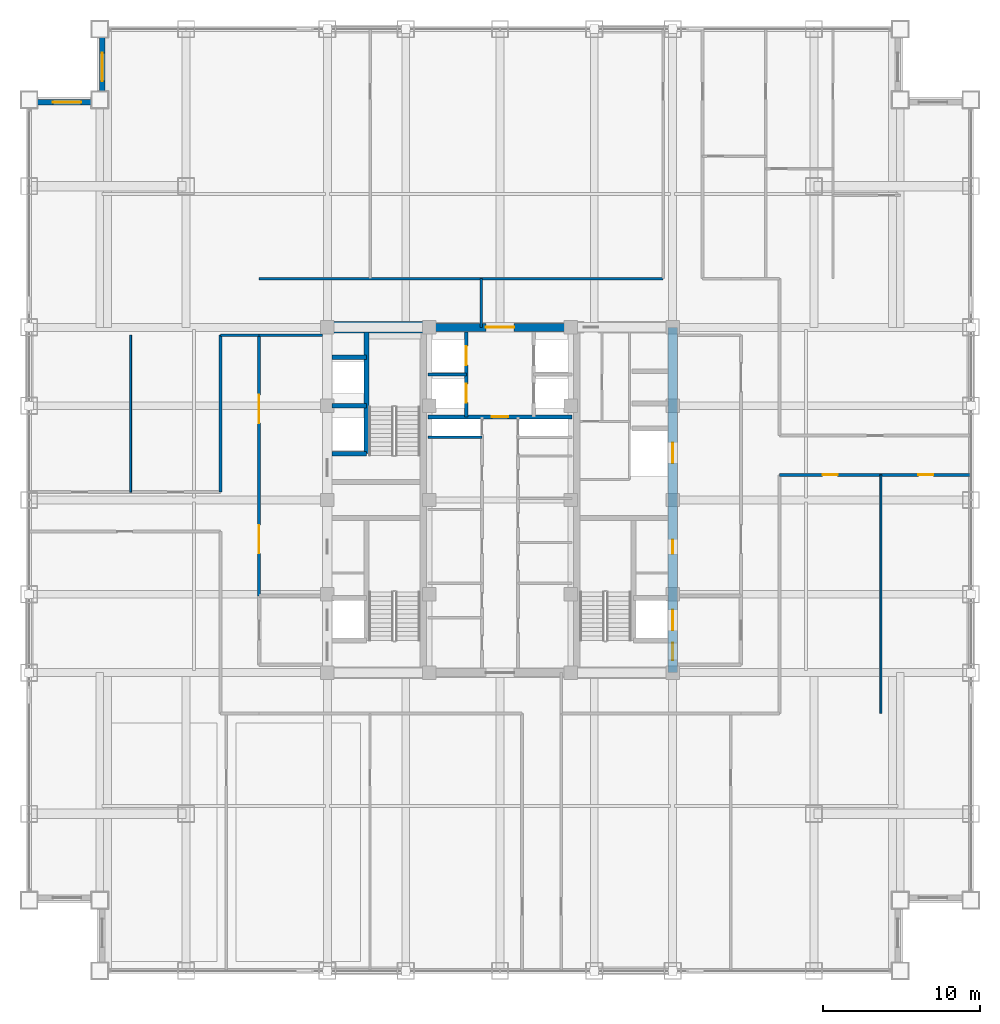
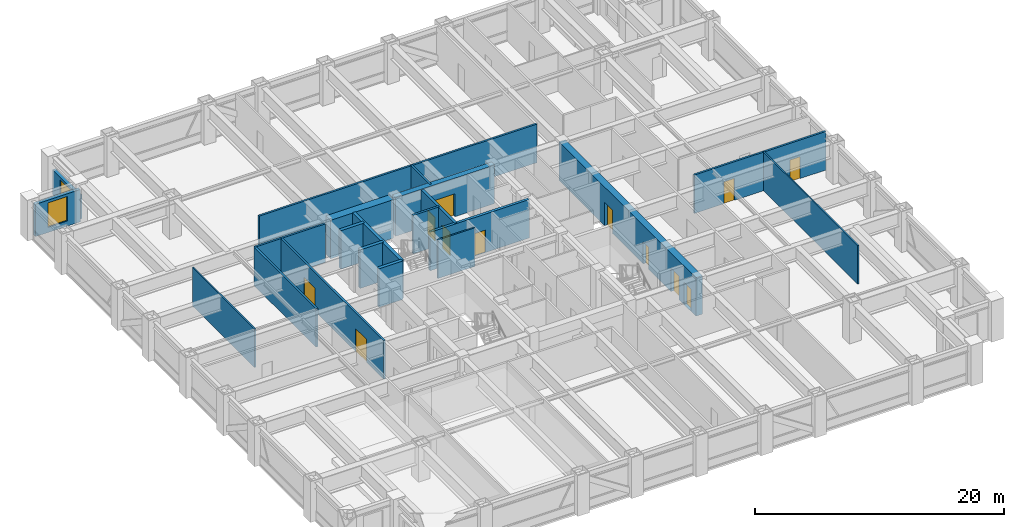
# One storey, part 22 of 26: 22 walls, 12 doors, 2 windows, 14 openings.
"""IFC4 building model written with IfcOpenShell, lengths in metres."""

from ifc_helpers import new_model, si_unit, direction, frame, frame_2d, origin, place, context, subcontext, project, spatial, rectangle, extrude, source, transform, mapped, material, layer, layer_set, type_object, element, fill, save


model = new_model("IFC4")

# Units and contexts
model_context = context("Model", 3, precision=1e-05, world=origin(), true_north=direction((0.0, 1.0)))
body_context = subcontext(model_context, "Body", "Model", "MODEL_VIEW")
ifc_project = project(units=[si_unit("LENGTHUNIT", "METRE"), si_unit("AREAUNIT", "SQUARE_METRE"), si_unit("VOLUMEUNIT", "CUBIC_METRE"), si_unit("PLANEANGLEUNIT", "RADIAN"), si_unit("MASSUNIT", "GRAM", prefix="KILO")], contexts=[model_context])

# Site, building, storey
site_placement = place(None, origin())
site = spatial("IfcSite", under=ifc_project, at=site_placement, CompositionType="ELEMENT")
building_placement = place(site_placement, origin())
building = spatial("IfcBuilding", under=site, at=building_placement, Name="Khorayat Bourse Tower", CompositionType="ELEMENT")
storey_placement = place(building_placement, frame((0.0, 0.0, 207.10009765625)))
storey = spatial("IfcBuildingStorey", under=building, at=storey_placement, Name="L48", CompositionType="ELEMENT", Elevation=207.10009765625)

# Wall, openings, doors
ifc_material_1 = material(Name="Concrete C60/75", Category="concrete")
ifc_layer_1 = layer(ifc_material_1, 0.60009765625)
ifc_layer_set_1 = layer_set([ifc_layer_1], Name="Concrete C60/75")
wall_type_1 = type_object("IfcWallType", Name="WAL-CORE-600", PredefinedType="SHEAR", material=ifc_layer_set_1)
shared_shape_1 = source(origin(), body_context, "Body", "SweptSolid", [
    extrude(rectangle(XDim=22.0, YDim=0.60009765625, at=frame_2d((11.0, 0.0))), origin(), (0.0, 0.0, 1.0), 3.77978515625),
])
wall_1_placement = place(storey_placement, frame((11.0, -11.0, 0.0), z_axis=(0.0, 0.0, 1.0), x_axis=(0.0, 1.0, 0.0)))
wall_1 = element("IfcWall", 1, at=wall_1_placement, inside=storey, type_object=wall_type_1, Name="L48 Core Shear Wall CORE-E", PredefinedType="SHEAR", context=body_context, shape_type="MappedRepresentation", body=[
    mapped(shared_shape_1, transform((0.0, 0.0, 0.0), scale=1.0)),
])
shared_shape_2 = source(origin(), body_context, "Body", "SweptSolid", [
    extrude(rectangle(XDim=1.10009765625, YDim=2.199951171875, at=frame_2d((0.550048828125, 1.10009765625))), frame((0.0, 0.31005859375, 0.0), z_axis=(0.0, -1.0, 0.0), x_axis=(1.0, 0.0, 0.0)), (0.0, 0.0, 1.0), 0.6201171875),
])
opening_1_placement = place(wall_1_placement, frame((0.800048828125, 0.0, 0.0)))
opening_1 = element("IfcOpeningElement", 2, at=opening_1_placement, cuts=wall_1, Name="Opening DI-01", PredefinedType="OPENING", context=body_context, shape_type="MappedRepresentation", body=[
    mapped(shared_shape_2, transform((0.0, 0.0, 0.0), scale=1.0)),
])
shared_shape_3 = source(origin(), body_context, "Body", "SweptSolid", [
    extrude(rectangle(XDim=0.89990234375, YDim=2.14990234375, at=frame_2d((0.449951171875, 1.074951171875))), frame((0.0, 0.31005859375, 0.0), z_axis=(0.0, -1.0, 0.0), x_axis=(1.0, 0.0, 0.0)), (0.0, 0.0, 1.0), 0.6201171875),
])
opening_2_placement = place(wall_1_placement, frame((7.574951171875, 0.0, 0.0)))
opening_2 = element("IfcOpeningElement", 3, at=opening_2_placement, cuts=wall_1, Name="Opening DI-06", PredefinedType="OPENING", context=body_context, shape_type="MappedRepresentation", body=[
    mapped(shared_shape_3, transform((0.0, 0.0, 0.0), scale=1.0)),
])
shared_shape_4 = source(origin(), body_context, "Body", "SweptSolid", [
    extrude(rectangle(XDim=1.300048828125, YDim=2.300048828125, at=frame_2d((0.64990234375, 1.14990234375))), frame((0.0, 0.31005859375, 0.0), z_axis=(0.0, -1.0, 0.0), x_axis=(1.0, 0.0, 0.0)), (0.0, 0.0, 1.0), 0.6201171875),
])
opening_3_placement = place(wall_1_placement, frame((2.699951171875, 0.0, 0.0)))
opening_3 = element("IfcOpeningElement", 4, at=opening_3_placement, cuts=wall_1, Name="Opening LD-02", PredefinedType="OPENING", context=body_context, shape_type="MappedRepresentation", body=[
    mapped(shared_shape_4, transform((0.0, 0.0, 0.0), scale=1.0)),
])
opening_4_placement = place(wall_1_placement, frame((13.35009765625, 0.0, 0.0)))
opening_4 = element("IfcOpeningElement", 5, at=opening_4_placement, cuts=wall_1, Name="Opening LD-02", PredefinedType="OPENING", context=body_context, shape_type="MappedRepresentation", body=[
    mapped(shared_shape_4, transform((0.0, 0.0, 0.0), scale=1.0)),
])
ifc_material_2 = material(Name="Fire-rated steel acoustic leaf", Category="steel")
door_type_1 = type_object("IfcDoorType", Name="DR-INT-STAIR-1100", OperationType="NOTDEFINED", PredefinedType="DOOR", material=ifc_material_2)
shared_shape_5 = source(origin(), body_context, "Body", "SweptSolid", [
    extrude(rectangle(XDim=1.10009765625, YDim=2.199951171875, at=frame_2d((0.550048828125, 1.10009765625))), frame((0.0, 0.02490234375, 0.0), z_axis=(0.0, -1.0, 0.0), x_axis=(1.0, 0.0, 0.0)), (0.0, 0.0, 1.0), 0.050048828125),
])
door_1_placement = place(opening_1_placement, origin())
door_1 = element("IfcDoor", 6, at=door_1_placement, inside=storey, type_object=door_type_1, Name="L48 Exit Stair 3 Door", OperationType="SINGLE_SWING_LEFT", OverallHeight=2.199951171875, OverallWidth=1.10009765625, PredefinedType="DOOR", context=body_context, shape_type="MappedRepresentation", body=[
    mapped(shared_shape_5, transform((0.0, 0.0, 0.0), scale=1.0)),
])
fill(opening_1, door_1)
ifc_material_3 = material(Name="Moisture-resistant laminate washroom door")
door_type_2 = type_object("IfcDoorType", Name="DR-INT-WC-900", OperationType="NOTDEFINED", PredefinedType="DOOR", material=ifc_material_3)
shared_shape_6 = source(origin(), body_context, "Body", "SweptSolid", [
    extrude(rectangle(XDim=0.89990234375, YDim=2.14990234375, at=frame_2d((0.449951171875, 1.074951171875))), frame((0.0, 0.02490234375, 0.0), z_axis=(0.0, -1.0, 0.0), x_axis=(1.0, 0.0, 0.0)), (0.0, 0.0, 1.0), 0.050048828125),
])
door_2_placement = place(opening_2_placement, origin())
door_2 = element("IfcDoor", 7, at=door_2_placement, inside=storey, type_object=door_type_2, Name="L48 Fiber Server Plant Room Door", OperationType="SINGLE_SWING_LEFT", OverallHeight=2.14990234375, OverallWidth=0.89990234375, PredefinedType="DOOR", context=body_context, shape_type="MappedRepresentation", body=[
    mapped(shared_shape_6, transform((0.0, 0.0, 0.0), scale=1.0)),
])
fill(opening_2, door_2)
ifc_material_4 = material(Name="Fire-rated stainless-steel sliding landing door", Category="steel")
door_type_3 = type_object("IfcDoorType", Name="DR-LIFT-FF-1300", OperationType="NOTDEFINED", PredefinedType="DOOR", material=ifc_material_4)
shared_shape_7 = source(origin(), body_context, "Body", "SweptSolid", [
    extrude(rectangle(XDim=1.300048828125, YDim=2.300048828125, at=frame_2d((0.64990234375, 1.14990234375))), frame((0.0, 0.02490234375, 0.0), z_axis=(0.0, -1.0, 0.0), x_axis=(1.0, 0.0, 0.0)), (0.0, 0.0, 1.0), 0.050048828125),
])
door_3_placement = place(opening_3_placement, origin())
door_3 = element("IfcDoor", 8, at=door_3_placement, inside=storey, type_object=door_type_3, Name="L48 Lift FFL-02 Sliding Landing Door", OperationType="SLIDING_TO_LEFT", OverallHeight=2.300048828125, OverallWidth=1.300048828125, PredefinedType="DOOR", context=body_context, shape_type="MappedRepresentation", body=[
    mapped(shared_shape_7, transform((0.0, 0.0, 0.0), scale=1.0)),
])
fill(opening_3, door_3)
door_4_placement = place(opening_4_placement, origin())
door_4 = element("IfcDoor", 9, at=door_4_placement, inside=storey, type_object=door_type_3, Name="L48 Lift SVL-01 Sliding Landing Door", OperationType="SLIDING_TO_LEFT", OverallHeight=2.300048828125, OverallWidth=1.300048828125, PredefinedType="DOOR", context=body_context, shape_type="MappedRepresentation", body=[
    mapped(shared_shape_7, transform((0.0, 0.0, 0.0), scale=1.0)),
])
fill(opening_4, door_4)

# Wall
ifc_material_5 = material(Name="Concrete C72/90", Category="concrete")
ifc_layer_2 = layer(ifc_material_5, 0.75)
ifc_layer_set_2 = layer_set([ifc_layer_2], Name="Concrete C72/90")
wall_type_2 = type_object("IfcWallType", Name="WAL-CORE-750", PredefinedType="SHEAR", material=ifc_layer_set_2)
shared_shape_8 = source(origin(), body_context, "Body", "SweptSolid", [
    extrude(rectangle(XDim=5.849853515625, YDim=0.75, at=frame_2d((2.9248046875, 0.0))), origin(), (0.0, 0.0, 1.0), 3.77978515625),
])
wall_2_placement = place(storey_placement, frame((-10.699951171875, 11.0, 0.0), z_axis=(0.0, 0.0, 1.0), x_axis=(1.0, 0.0, 0.0)))
element("IfcWall", 10, at=wall_2_placement, inside=storey, type_object=wall_type_2, Name="L48 Core Shear Wall PIER-WN", PredefinedType="SHEAR", context=body_context, shape_type="MappedRepresentation", body=[
    mapped(shared_shape_8, transform((0.0, 0.0, 0.0), scale=1.0)),
])

# Wall, opening, door
ifc_material_6 = material(Name="Concrete C52/65", Category="concrete")
ifc_layer_3 = layer(ifc_material_6, 0.5)
ifc_layer_set_3 = layer_set([ifc_layer_3], Name="Concrete C52/65")
wall_type_3 = type_object("IfcWallType", Name="WAL-CORE-500", PredefinedType="SHEAR", material=ifc_layer_set_3)
shared_shape_9 = source(origin(), body_context, "Body", "SweptSolid", [
    extrude(rectangle(XDim=9.2001953125, YDim=0.5, at=frame_2d((4.60009765625, 0.0))), origin(), (0.0, 0.0, 1.0), 3.77978515625),
])
wall_3_placement = place(storey_placement, frame((-4.60009765625, 11.0, 0.0), z_axis=(0.0, 0.0, 1.0), x_axis=(1.0, 0.0, 0.0)))
wall_3 = element("IfcWall", 11, at=wall_3_placement, inside=storey, type_object=wall_type_3, Name="L48 Core Shear Wall CORE-N", PredefinedType="SHEAR", context=body_context, shape_type="MappedRepresentation", body=[
    mapped(shared_shape_9, transform((0.0, 0.0, 0.0), scale=1.0)),
])
shared_shape_10 = source(origin(), body_context, "Body", "SweptSolid", [
    extrude(rectangle(XDim=1.800048828125, YDim=2.25, at=frame_2d((0.89990234375, 1.125))), frame((0.0, 0.260009765625, 0.0), z_axis=(0.0, -1.0, 0.0), x_axis=(1.0, 0.0, 0.0)), (0.0, 0.0, 1.0), 0.52001953125),
])
opening_5_placement = place(wall_3_placement, frame((3.699951171875, 0.0, 0.0)))
opening_5 = element("IfcOpeningElement", 12, at=opening_5_placement, cuts=wall_3, Name="Opening DI-03", PredefinedType="OPENING", context=body_context, shape_type="MappedRepresentation", body=[
    mapped(shared_shape_10, transform((0.0, 0.0, 0.0), scale=1.0)),
])
ifc_material_7 = material(Name="Fire-rated hardwood vision-panel double leaf", Category="wood")
door_type_4 = type_object("IfcDoorType", Name="DR-INT-CORR-1800", OperationType="NOTDEFINED", PredefinedType="DOOR", material=ifc_material_7)
shared_shape_11 = source(origin(), body_context, "Body", "SweptSolid", [
    extrude(rectangle(XDim=1.800048828125, YDim=2.25, at=frame_2d((0.89990234375, 1.125))), frame((0.0, 0.02490234375, 0.0), z_axis=(0.0, -1.0, 0.0), x_axis=(1.0, 0.0, 0.0)), (0.0, 0.0, 1.0), 0.050048828125),
])
door_5_placement = place(opening_5_placement, origin())
door_5 = element("IfcDoor", 13, at=door_5_placement, inside=storey, type_object=door_type_4, Name="L48 Mid-Rise Lift Lobby Door", OperationType="SINGLE_SWING_RIGHT", OverallHeight=2.25, OverallWidth=1.800048828125, PredefinedType="DOOR", context=body_context, shape_type="MappedRepresentation", body=[
    mapped(shared_shape_11, transform((0.0, 0.0, 0.0), scale=1.0)),
])
fill(opening_5, door_5)

# Wall, opening, window
ifc_material_8 = material(Name="Precast concrete C45/55", Category="concrete")
ifc_layer_4 = layer(ifc_material_8, 0.320068359375)
ifc_layer_set_4 = layer_set([ifc_layer_4], Name="Precast concrete C45/55")
wall_type_4 = type_object("IfcWallType", Name="WAL-EXT-STONE-320", PredefinedType="STANDARD", material=ifc_layer_set_4)
shared_shape_12 = source(origin(), body_context, "Body", "SweptSolid", [
    extrude(rectangle(XDim=4.179931640625, YDim=0.320068359375, at=frame_2d((2.08984375, 0.0))), origin(), (0.0, 0.0, 1.0), 3.163818359375),
])
wall_4_placement = place(storey_placement, frame((-25.5, 25.340087890625, 0.0), z_axis=(0.0, 0.0, 1.0), x_axis=(-1.0, 0.0, 0.0)))
wall_4 = element("IfcWall", 14, at=wall_4_placement, inside=storey, type_object=wall_type_4, Name="L48 Re-Entrant Notch Limestone Wall NW-H", PredefinedType="STANDARD", context=body_context, shape_type="MappedRepresentation", body=[
    mapped(shared_shape_12, transform((0.0, 0.0, 0.0), scale=1.0)),
])
shared_shape_13 = source(origin(), body_context, "Body", "SweptSolid", [
    extrude(rectangle(XDim=1.800048828125, YDim=2.39990234375, at=frame_2d((0.89990234375, 1.199951171875))), frame((0.0, 0.169921875, 0.0), z_axis=(0.0, -1.0, 0.0), x_axis=(1.0, 0.0, 0.0)), (0.0, 0.0, 1.0), 0.340087890625),
])
opening_6_placement = place(wall_4_placement, frame((1.18994140625, 0.0, 0.5)))
opening_6 = element("IfcOpeningElement", 15, at=opening_6_placement, cuts=wall_4, Name="Opening WN-04", PredefinedType="OPENING", context=body_context, shape_type="MappedRepresentation", body=[
    mapped(shared_shape_13, transform((0.0, 0.0, 0.0), scale=1.0)),
])
ifc_material_9 = material(Name="Low-E acoustic laminated double glazing", Category="glass")
window_type = type_object("IfcWindowType", Name="WIN-NOTCH-1800x2400", PartitioningType="SINGLE_PANEL", PredefinedType="WINDOW", material=ifc_material_9)
shared_shape_14 = source(origin(), body_context, "Body", "SweptSolid", [
    extrude(rectangle(XDim=1.800048828125, YDim=2.39990234375, at=frame_2d((0.89990234375, 1.199951171875))), frame((0.0, 0.030029296875, 0.0), z_axis=(0.0, -1.0, 0.0), x_axis=(1.0, 0.0, 0.0)), (0.0, 0.0, 1.0), 0.06005859375),
])
window_1_placement = place(opening_6_placement, origin())
window_1 = element("IfcWindow", 16, at=window_1_placement, inside=storey, type_object=window_type, Name="L48 Facade Window 1", OverallHeight=2.39990234375, OverallWidth=1.800048828125, PartitioningType="SINGLE_PANEL", PredefinedType="WINDOW", context=body_context, shape_type="MappedRepresentation", body=[
    mapped(shared_shape_14, transform((0.0, 0.0, 0.0), scale=1.0)),
])
fill(opening_6, window_1)

shared_shape_15 = source(origin(), body_context, "Body", "SweptSolid", [
    extrude(rectangle(XDim=4.179931640625, YDim=0.320068359375, at=frame_2d((2.08984375, 0.0))), origin(), (0.0, 0.0, 1.0), 2.3798828125),
])
wall_5_placement = place(storey_placement, frame((-25.340087890625, 25.5, 0.0), z_axis=(0.0, 0.0, 1.0), x_axis=(0.0, 1.0, 0.0)))
wall_5 = element("IfcWall", 17, at=wall_5_placement, inside=storey, type_object=wall_type_4, Name="L48 Re-Entrant Notch Limestone Wall NW-V", PredefinedType="STANDARD", context=body_context, shape_type="MappedRepresentation", body=[
    mapped(shared_shape_15, transform((0.0, 0.0, 0.0), scale=1.0)),
])
shared_shape_16 = source(origin(), body_context, "Body", "SweptSolid", [
    extrude(rectangle(XDim=1.800048828125, YDim=1.659912109375, at=frame_2d((0.89990234375, 0.830078125))), frame((0.0, 0.169921875, 0.0), z_axis=(0.0, -1.0, 0.0), x_axis=(1.0, 0.0, 0.0)), (0.0, 0.0, 1.0), 0.340087890625),
])
opening_7_placement = place(wall_5_placement, frame((1.18994140625, 0.0, 0.5)))
opening_7 = element("IfcOpeningElement", 18, at=opening_7_placement, cuts=wall_5, Name="Opening WN-04", PredefinedType="OPENING", context=body_context, shape_type="MappedRepresentation", body=[
    mapped(shared_shape_16, transform((0.0, 0.0, 0.0), scale=1.0)),
])
shared_shape_17 = source(origin(), body_context, "Body", "SweptSolid", [
    extrude(rectangle(XDim=1.800048828125, YDim=1.659912109375, at=frame_2d((0.89990234375, 0.830078125))), frame((0.0, 0.030029296875, 0.0), z_axis=(0.0, -1.0, 0.0), x_axis=(1.0, 0.0, 0.0)), (0.0, 0.0, 1.0), 0.06005859375),
])
window_2_placement = place(opening_7_placement, origin())
window_2 = element("IfcWindow", 19, at=window_2_placement, inside=storey, type_object=window_type, Name="L48 Facade Window 1", OverallHeight=1.659912109375, OverallWidth=1.800048828125, PartitioningType="SINGLE_PANEL", PredefinedType="WINDOW", context=body_context, shape_type="MappedRepresentation", body=[
    mapped(shared_shape_17, transform((0.0, 0.0, 0.0), scale=1.0)),
])
fill(opening_7, window_2)

# Walls
ifc_material_10 = material(Name="Concrete C50/60", Category="concrete")
ifc_layer_5 = layer(ifc_material_10, 0.300048828125)
ifc_layer_set_5 = layer_set([ifc_layer_5], Name="Concrete C50/60")
wall_type_5 = type_object("IfcWallType", Name="WAL-SHAFT-300", PredefinedType="SHEAR", material=ifc_layer_set_5)
shared_shape_18 = source(origin(), body_context, "Body", "SweptSolid", [
    extrude(rectangle(XDim=2.199951171875, YDim=0.300048828125, at=frame_2d((1.10009765625, 0.0))), origin(), (0.0, 0.0, 1.0), 3.77978515625),
])
for number, where, z_axis, x_axis, name in (
    (20, (-10.699951171875, 2.949951171875, 0.0), (0.0, 0.0, 1.0), (1.0, 0.0, 0.0), "L48 Partition WAL-L48-WPIER-H1S"),
    (21, (-10.699951171875, 6.0, 0.0), (0.0, 0.0, 1.0), (1.0, 0.0, 0.0), "L48 Partition WAL-L48-WPIER-H12"),
    (22, (-10.699951171875, 9.10009765625, 0.0), (0.0, 0.0, 1.0), (1.0, 0.0, 0.0), "L48 Partition WAL-L48-WPIER-H2N"),
):
    element("IfcWall", number, at=place(storey_placement, frame(where, z_axis=z_axis, x_axis=x_axis)), inside=storey, type_object=wall_type_5, Name=name, PredefinedType="SHEAR", context=body_context, shape_type="MappedRepresentation", body=[
        mapped(shared_shape_18, transform((0.0, 0.0, 0.0), scale=1.0)),
    ])
shared_shape_19 = source(origin(), body_context, "Body", "SweptSolid", [
    extrude(rectangle(XDim=7.75, YDim=0.300048828125, at=frame_2d((3.875, 0.0))), origin(), (0.0, 0.0, 1.0), 3.77978515625),
])
wall_6_placement = place(storey_placement, frame((-8.5, 2.949951171875, 0.0), z_axis=(0.0, 0.0, 1.0), x_axis=(0.0, 1.0, 0.0)))
element("IfcWall", 23, at=wall_6_placement, inside=storey, type_object=wall_type_5, Name="L48 Partition WAL-L48-WPIER-ST2S", PredefinedType="SHEAR", context=body_context, shape_type="MappedRepresentation", body=[
    mapped(shared_shape_19, transform((0.0, 0.0, 0.0), scale=1.0)),
])
ifc_material_11 = material(Name="Gypsum plasterboard acoustic stud wall")
ifc_layer_6 = layer(ifc_material_11, 0.179931640625)
ifc_layer_set_6 = layer_set([ifc_layer_6], Name="Gypsum plasterboard acoustic stud wall")
wall_type_6 = type_object("IfcWallType", Name="WAL-PART-CORR-180", PredefinedType="PARTITIONING", material=ifc_layer_set_6)
shared_shape_20 = source(origin(), body_context, "Body", "SweptSolid", [
    extrude(rectangle(XDim=4.050048828125, YDim=0.179931640625, at=frame_2d((2.02490234375, 0.0))), origin(), (0.0, 0.0, 1.0), 3.77978515625),
])
wall_7_placement = place(storey_placement, frame((-15.35009765625, 10.5, 0.0), z_axis=(0.0, 0.0, 1.0), x_axis=(1.0, 0.0, 0.0)))
element("IfcWall", 24, at=wall_7_placement, inside=storey, type_object=wall_type_6, Name="L48 Partition WAL-L48-WLOB-N", PredefinedType="PARTITIONING", context=body_context, shape_type="MappedRepresentation", body=[
    mapped(shared_shape_20, transform((0.0, 0.0, 0.0), scale=1.0)),
])

# Wall, openings, doors
shared_shape_21 = source(origin(), body_context, "Body", "SweptSolid", [
    extrude(rectangle(XDim=16.60009765625, YDim=0.179931640625, at=frame_2d((8.300048828125, 0.0))), origin(), (0.0, 0.0, 1.0), 3.77978515625),
])
wall_8_placement = place(storey_placement, frame((-15.35009765625, -6.10009765625, 0.0), z_axis=(0.0, 0.0, 1.0), x_axis=(0.0, 1.0, 0.0)))
wall_8 = element("IfcWall", 25, at=wall_8_placement, inside=storey, type_object=wall_type_6, Name="L48 Partition WAL-L48-WLOB-W", PredefinedType="PARTITIONING", context=body_context, shape_type="MappedRepresentation", body=[
    mapped(shared_shape_21, transform((0.0, 0.0, 0.0), scale=1.0)),
])
shared_shape_22 = source(origin(), body_context, "Body", "SweptSolid", [
    extrude(rectangle(XDim=1.800048828125, YDim=2.25, at=frame_2d((0.89990234375, 1.125))), frame((0.0, 0.099853515625, 0.0), z_axis=(0.0, -1.0, 0.0), x_axis=(1.0, 0.0, 0.0)), (0.0, 0.0, 1.0), 0.199951171875),
])
opening_8_placement = place(wall_8_placement, frame((2.699951171875, 0.0, 0.0)))
opening_8 = element("IfcOpeningElement", 26, at=opening_8_placement, cuts=wall_8, Name="Opening DI-03", PredefinedType="OPENING", context=body_context, shape_type="MappedRepresentation", body=[
    mapped(shared_shape_22, transform((0.0, 0.0, 0.0), scale=1.0)),
])
opening_9_placement = place(wall_8_placement, frame((11.0, 0.0, 0.0)))
opening_9 = element("IfcOpeningElement", 27, at=opening_9_placement, cuts=wall_8, Name="Opening DI-03", PredefinedType="OPENING", context=body_context, shape_type="MappedRepresentation", body=[
    mapped(shared_shape_22, transform((0.0, 0.0, 0.0), scale=1.0)),
])
door_6_placement = place(opening_8_placement, origin())
door_6 = element("IfcDoor", 28, at=door_6_placement, inside=storey, type_object=door_type_4, Name="L48 West Core Lobby South Door", OperationType="SINGLE_SWING_LEFT", OverallHeight=2.25, OverallWidth=1.800048828125, PredefinedType="DOOR", context=body_context, shape_type="MappedRepresentation", body=[
    mapped(shared_shape_11, transform((0.0, 0.0, 0.0), scale=1.0)),
])
fill(opening_8, door_6)
door_7_placement = place(opening_9_placement, origin())
door_7 = element("IfcDoor", 29, at=door_7_placement, inside=storey, type_object=door_type_4, Name="L48 West Core Lobby North Door", OperationType="SINGLE_SWING_RIGHT", OverallHeight=2.25, OverallWidth=1.800048828125, PredefinedType="DOOR", context=body_context, shape_type="MappedRepresentation", body=[
    mapped(shared_shape_11, transform((0.0, 0.0, 0.0), scale=1.0)),
])
fill(opening_9, door_7)

# Wall
ifc_material_12 = material(Name="Gypsum plasterboard twin-frame partition")
ifc_layer_7 = layer(ifc_material_12, 0.14990234375)
ifc_layer_set_7 = layer_set([ifc_layer_7], Name="Gypsum plasterboard twin-frame partition")
wall_type_7 = type_object("IfcWallType", Name="WAL-PART-SUITE-150", PredefinedType="PARTITIONING", material=ifc_layer_set_7)
shared_shape_23 = source(origin(), body_context, "Body", "SweptSolid", [
    extrude(rectangle(XDim=3.4501953125, YDim=0.14990234375, at=frame_2d((1.72509765625, 0.0))), origin(), (0.0, 0.0, 1.0), 3.77978515625),
])
wall_9_placement = place(storey_placement, frame((-4.60009765625, 4.0, 0.0), z_axis=(0.0, 0.0, 1.0), x_axis=(1.0, 0.0, 0.0)))
element("IfcWall", 30, at=wall_9_placement, inside=storey, type_object=wall_type_7, Name="L48 Partition WAL-L48-CRSW-S", PredefinedType="PARTITIONING", context=body_context, shape_type="MappedRepresentation", body=[
    mapped(shared_shape_23, transform((0.0, 0.0, 0.0), scale=1.0)),
])

# Wall, openings, doors
shared_shape_24 = source(origin(), body_context, "Body", "SweptSolid", [
    extrude(rectangle(XDim=5.39990234375, YDim=0.25, at=frame_2d((2.699951171875, 0.0))), origin(), (0.0, 0.0, 1.0), 3.77978515625),
])
wall_10_placement = place(storey_placement, frame((-2.14990234375, 5.300048828125, 0.0), z_axis=(0.0, 0.0, 1.0), x_axis=(0.0, 1.0, 0.0)))
wall_10 = element("IfcWall", 31, at=wall_10_placement, inside=storey, type_object=wall_type_5, Name="L48 Partition WAL-L48-B2-W", PredefinedType="SHEAR", context=body_context, shape_type="MappedRepresentation", body=[
    mapped(shared_shape_24, transform((0.0, 0.0, 0.0), scale=1.0)),
])
shared_shape_25 = source(origin(), body_context, "Body", "SweptSolid", [
    extrude(rectangle(XDim=1.199951171875, YDim=2.300048828125, at=frame_2d((0.60009765625, 1.14990234375))), frame((0.0, 0.135009765625, 0.0), z_axis=(0.0, -1.0, 0.0), x_axis=(1.0, 0.0, 0.0)), (0.0, 0.0, 1.0), 0.27001953125),
])
opening_10_placement = place(wall_10_placement, frame((3.300048828125, 0.0, 0.0)))
opening_10 = element("IfcOpeningElement", 32, at=opening_10_placement, cuts=wall_10, Name="Opening LD-01", PredefinedType="OPENING", context=body_context, shape_type="MappedRepresentation", body=[
    mapped(shared_shape_25, transform((0.0, 0.0, 0.0), scale=1.0)),
])
opening_11_placement = place(wall_10_placement, frame((0.89990234375, 0.0, 0.0)))
opening_11 = element("IfcOpeningElement", 33, at=opening_11_placement, cuts=wall_10, Name="Opening LD-01", PredefinedType="OPENING", context=body_context, shape_type="MappedRepresentation", body=[
    mapped(shared_shape_25, transform((0.0, 0.0, 0.0), scale=1.0)),
])
ifc_material_13 = material(Name="Brushed bronze stainless-steel sliding door", Category="steel")
door_type_5 = type_object("IfcDoorType", Name="DR-LIFT-PASS-1200", OperationType="NOTDEFINED", PredefinedType="DOOR", material=ifc_material_13)
shared_shape_26 = source(origin(), body_context, "Body", "SweptSolid", [
    extrude(rectangle(XDim=1.199951171875, YDim=2.300048828125, at=frame_2d((0.60009765625, 1.14990234375))), frame((0.0, 0.02490234375, 0.0), z_axis=(0.0, -1.0, 0.0), x_axis=(1.0, 0.0, 0.0)), (0.0, 0.0, 1.0), 0.050048828125),
])
door_8_placement = place(opening_10_placement, origin())
door_8 = element("IfcDoor", 34, at=door_8_placement, inside=storey, type_object=door_type_5, Name="L48 Lift PL-M1 Sliding Landing Door", OperationType="SLIDING_TO_LEFT", OverallHeight=2.300048828125, OverallWidth=1.199951171875, PredefinedType="DOOR", context=body_context, shape_type="MappedRepresentation", body=[
    mapped(shared_shape_26, transform((0.0, 0.0, 0.0), scale=1.0)),
])
fill(opening_10, door_8)
door_9_placement = place(opening_11_placement, origin())
door_9 = element("IfcDoor", 35, at=door_9_placement, inside=storey, type_object=door_type_5, Name="L48 Lift PL-M3 Sliding Landing Door", OperationType="SLIDING_TO_LEFT", OverallHeight=2.300048828125, OverallWidth=1.199951171875, PredefinedType="DOOR", context=body_context, shape_type="MappedRepresentation", body=[
    mapped(shared_shape_26, transform((0.0, 0.0, 0.0), scale=1.0)),
])
fill(opening_11, door_9)

# Wall
shared_shape_27 = source(origin(), body_context, "Body", "SweptSolid", [
    extrude(rectangle(XDim=2.4501953125, YDim=0.199951171875, at=frame_2d((1.22509765625, 0.0))), origin(), (0.0, 0.0, 1.0), 3.77978515625),
])
wall_11_placement = place(storey_placement, frame((-4.60009765625, 8.0, 0.0), z_axis=(0.0, 0.0, 1.0), x_axis=(1.0, 0.0, 0.0)))
element("IfcWall", 36, at=wall_11_placement, inside=storey, type_object=wall_type_5, Name="L48 Partition WAL-L48-B2-MW", PredefinedType="SHEAR", context=body_context, shape_type="MappedRepresentation", body=[
    mapped(shared_shape_27, transform((0.0, 0.0, 0.0), scale=1.0)),
])

# Wall, opening, door
shared_shape_28 = source(origin(), body_context, "Body", "SweptSolid", [
    extrude(rectangle(XDim=9.2001953125, YDim=0.25, at=frame_2d((4.60009765625, 0.0))), origin(), (0.0, 0.0, 1.0), 3.77978515625),
])
wall_12_placement = place(storey_placement, frame((-4.60009765625, 5.300048828125, 0.0), z_axis=(0.0, 0.0, 1.0), x_axis=(1.0, 0.0, 0.0)))
wall_12 = element("IfcWall", 37, at=wall_12_placement, inside=storey, type_object=wall_type_5, Name="L48 Partition WAL-L48-B2-S", PredefinedType="SHEAR", context=body_context, shape_type="MappedRepresentation", body=[
    mapped(shared_shape_28, transform((0.0, 0.0, 0.0), scale=1.0)),
])
shared_shape_29 = source(origin(), body_context, "Body", "SweptSolid", [
    extrude(rectangle(XDim=1.050048828125, YDim=2.199951171875, at=frame_2d((0.52490234375, 1.10009765625))), frame((0.0, 0.135009765625, 0.0), z_axis=(0.0, -1.0, 0.0), x_axis=(1.0, 0.0, 0.0)), (0.0, 0.0, 1.0), 0.27001953125),
])
opening_12_placement = place(wall_12_placement, frame((4.074951171875, 0.0, 0.0)))
opening_12 = element("IfcOpeningElement", 38, at=opening_12_placement, cuts=wall_12, Name="Opening DI-04", PredefinedType="OPENING", context=body_context, shape_type="MappedRepresentation", body=[
    mapped(shared_shape_29, transform((0.0, 0.0, 0.0), scale=1.0)),
])
ifc_material_14 = material(Name="Fire-rated oak veneer suite entrance door")
door_type_6 = type_object("IfcDoorType", Name="DR-INT-SUITE-1050", OperationType="NOTDEFINED", PredefinedType="DOOR", material=ifc_material_14)
shared_shape_30 = source(origin(), body_context, "Body", "SweptSolid", [
    extrude(rectangle(XDim=1.050048828125, YDim=2.199951171875, at=frame_2d((0.52490234375, 1.10009765625))), frame((0.0, 0.02490234375, 0.0), z_axis=(0.0, -1.0, 0.0), x_axis=(1.0, 0.0, 0.0)), (0.0, 0.0, 1.0), 0.050048828125),
])
door_10_placement = place(opening_12_placement, origin())
door_10 = element("IfcDoor", 39, at=door_10_placement, inside=storey, type_object=door_type_6, Name="L48 Core Spine North Door", OperationType="SINGLE_SWING_RIGHT", OverallHeight=2.199951171875, OverallWidth=1.050048828125, PredefinedType="DOOR", context=body_context, shape_type="MappedRepresentation", body=[
    mapped(shared_shape_30, transform((0.0, 0.0, 0.0), scale=1.0)),
])
fill(opening_12, door_10)

# Wall
shared_shape_31 = source(origin(), body_context, "Body", "SweptSolid", [
    extrude(rectangle(XDim=2.449951171875, YDim=0.179931640625, at=frame_2d((1.22509765625, 0.0))), origin(), (0.0, 0.0, 1.0), 3.77978515625),
])
wall_13_placement = place(storey_placement, frame((-17.800048828125, 10.5, 0.0), z_axis=(0.0, 0.0, 1.0), x_axis=(1.0, 0.0, 0.0)))
element("IfcWall", 40, at=wall_13_placement, inside=storey, type_object=wall_type_6, Name="L48 Partition WAL-L48-C2-WN", PredefinedType="PARTITIONING", context=body_context, shape_type="MappedRepresentation", body=[
    mapped(shared_shape_31, transform((0.0, 0.0, 0.0), scale=1.0)),
])

# Wall, openings, doors
shared_shape_32 = source(origin(), body_context, "Body", "SweptSolid", [
    extrude(rectangle(XDim=12.199951171875, YDim=0.179931640625, at=frame_2d((6.10009765625, 0.0))), origin(), (0.0, 0.0, 1.0), 3.77978515625),
])
wall_14_placement = place(storey_placement, frame((17.800048828125, 1.60009765625, 0.0), z_axis=(0.0, 0.0, 1.0), x_axis=(1.0, 0.0, 0.0)))
wall_14 = element("IfcWall", 41, at=wall_14_placement, inside=storey, type_object=wall_type_6, Name="L48 Partition WAL-L48-ES-SPK", PredefinedType="PARTITIONING", context=body_context, shape_type="MappedRepresentation", body=[
    mapped(shared_shape_32, transform((0.0, 0.0, 0.0), scale=1.0)),
])
shared_shape_33 = source(origin(), body_context, "Body", "SweptSolid", [
    extrude(rectangle(XDim=0.949951171875, YDim=2.14990234375, at=frame_2d((0.47509765625, 1.074951171875))), frame((0.0, 0.099853515625, 0.0), z_axis=(0.0, -1.0, 0.0), x_axis=(1.0, 0.0, 0.0)), (0.0, 0.0, 1.0), 0.199951171875),
])
opening_13_placement = place(wall_14_placement, frame((2.758056640625, 0.0, 0.0)))
opening_13 = element("IfcOpeningElement", 42, at=opening_13_placement, cuts=wall_14, Name="Opening DI-05", PredefinedType="OPENING", context=body_context, shape_type="MappedRepresentation", body=[
    mapped(shared_shape_33, transform((0.0, 0.0, 0.0), scale=1.0)),
])
opening_14_placement = place(wall_14_placement, frame((8.85791015625, 0.0, 0.0)))
opening_14 = element("IfcOpeningElement", 43, at=opening_14_placement, cuts=wall_14, Name="Opening DI-05", PredefinedType="OPENING", context=body_context, shape_type="MappedRepresentation", body=[
    mapped(shared_shape_33, transform((0.0, 0.0, 0.0), scale=1.0)),
])
ifc_material_15 = material(Name="Acoustic oak veneer office door")
door_type_7 = type_object("IfcDoorType", Name="DR-INT-OFFICE-950", OperationType="NOTDEFINED", PredefinedType="DOOR", material=ifc_material_15)
shared_shape_34 = source(origin(), body_context, "Body", "SweptSolid", [
    extrude(rectangle(XDim=0.949951171875, YDim=2.14990234375, at=frame_2d((0.47509765625, 1.074951171875))), frame((0.0, 0.02490234375, 0.0), z_axis=(0.0, -1.0, 0.0), x_axis=(1.0, 0.0, 0.0)), (0.0, 0.0, 1.0), 0.050048828125),
])
door_11_placement = place(opening_13_placement, origin())
door_11 = element("IfcDoor", 44, at=door_11_placement, inside=storey, type_object=door_type_7, Name="L48 Floor Reception Concierge ESA Door", OperationType="SINGLE_SWING_LEFT", OverallHeight=2.14990234375, OverallWidth=0.949951171875, PredefinedType="DOOR", context=body_context, shape_type="MappedRepresentation", body=[
    mapped(shared_shape_34, transform((0.0, 0.0, 0.0), scale=1.0)),
])
fill(opening_13, door_11)
door_12_placement = place(opening_14_placement, origin())
door_12 = element("IfcDoor", 45, at=door_12_placement, inside=storey, type_object=door_type_7, Name="L48 Catering Servery Kitchen ESB Door", OperationType="SINGLE_SWING_RIGHT", OverallHeight=2.14990234375, OverallWidth=0.949951171875, PredefinedType="DOOR", context=body_context, shape_type="MappedRepresentation", body=[
    mapped(shared_shape_34, transform((0.0, 0.0, 0.0), scale=1.0)),
])
fill(opening_14, door_12)

# Walls
shared_shape_35 = source(origin(), body_context, "Body", "SweptSolid", [
    extrude(rectangle(XDim=3.10009765625, YDim=0.179931640625, at=frame_2d((1.550048828125, 0.0))), origin(), (0.0, 0.0, 1.0), 3.77978515625),
])
wall_15_placement = place(storey_placement, frame((-1.199951171875, 11.0, 0.0), z_axis=(0.0, 0.0, 1.0), x_axis=(0.0, 1.0, 0.0)))
element("IfcWall", 46, at=wall_15_placement, inside=storey, type_object=wall_type_6, Name="L48 Partition WAL-L48-C2-NCW", PredefinedType="PARTITIONING", context=body_context, shape_type="MappedRepresentation", body=[
    mapped(shared_shape_35, transform((0.0, 0.0, 0.0), scale=1.0)),
])
shared_shape_36 = source(origin(), body_context, "Body", "SweptSolid", [
    extrude(rectangle(XDim=25.75, YDim=0.179931640625, at=frame_2d((12.875, 0.0))), origin(), (0.0, 0.0, 1.0), 3.77978515625),
])
wall_16_placement = place(storey_placement, frame((-15.35009765625, 14.10009765625, 0.0), z_axis=(0.0, 0.0, 1.0), x_axis=(1.0, 0.0, 0.0)))
element("IfcWall", 47, at=wall_16_placement, inside=storey, type_object=wall_type_6, Name="L48 Partition WAL-L48-QNW-HC", PredefinedType="PARTITIONING", context=body_context, shape_type="MappedRepresentation", body=[
    mapped(shared_shape_36, transform((0.0, 0.0, 0.0), scale=1.0)),
])
ifc_material_16 = material(Name="Gypsum plasterboard partition")
ifc_layer_8 = layer(ifc_material_16, 0.125)
ifc_layer_set_8 = layer_set([ifc_layer_8], Name="Gypsum plasterboard partition")
wall_type_8 = type_object("IfcWallType", Name="WAL-PART-ROOM-125", PredefinedType="PARTITIONING", material=ifc_layer_set_8)
shared_shape_37 = source(origin(), body_context, "Body", "SweptSolid", [
    extrude(rectangle(XDim=10.0, YDim=0.125, at=frame_2d((5.0, 0.0))), origin(), (0.0, 0.0, 1.0), 3.77978515625),
])
wall_17_placement = place(storey_placement, frame((-23.533935546875, 0.5, 0.0), z_axis=(0.0, 0.0, 1.0), x_axis=(0.0, 1.0, 0.0)))
element("IfcWall", 48, at=wall_17_placement, inside=storey, type_object=wall_type_8, Name="L48 Partition WAL-L48-WN-DV", PredefinedType="PARTITIONING", context=body_context, shape_type="MappedRepresentation", body=[
    mapped(shared_shape_37, transform((0.0, 0.0, 0.0), scale=1.0)),
])
shared_shape_38 = source(origin(), body_context, "Body", "SweptSolid", [
    extrude(rectangle(XDim=10.0, YDim=0.179931640625, at=frame_2d((5.0, 0.0))), origin(), (0.0, 0.0, 1.0), 3.77978515625),
])
wall_18_placement = place(storey_placement, frame((-17.800048828125, 0.5, 0.0), z_axis=(0.0, 0.0, 1.0), x_axis=(0.0, 1.0, 0.0)))
element("IfcWall", 49, at=wall_18_placement, inside=storey, type_object=wall_type_6, Name="L48 Partition WAL-L48-WN-IN", PredefinedType="PARTITIONING", context=body_context, shape_type="MappedRepresentation", body=[
    mapped(shared_shape_38, transform((0.0, 0.0, 0.0), scale=1.0)),
])
shared_shape_39 = source(origin(), body_context, "Body", "SweptSolid", [
    extrude(rectangle(XDim=15.2001953125, YDim=0.125, at=frame_2d((7.60009765625, 0.0))), origin(), (0.0, 0.0, 1.0), 3.77978515625),
])
wall_19_placement = place(storey_placement, frame((24.26611328125, -13.60009765625, 0.0), z_axis=(0.0, 0.0, 1.0), x_axis=(0.0, 1.0, 0.0)))
element("IfcWall", 50, at=wall_19_placement, inside=storey, type_object=wall_type_8, Name="L48 Partition WAL-L48-ES-DV", PredefinedType="PARTITIONING", context=body_context, shape_type="MappedRepresentation", body=[
    mapped(shared_shape_39, transform((0.0, 0.0, 0.0), scale=1.0)),
])

save(model, "model.ifc")
